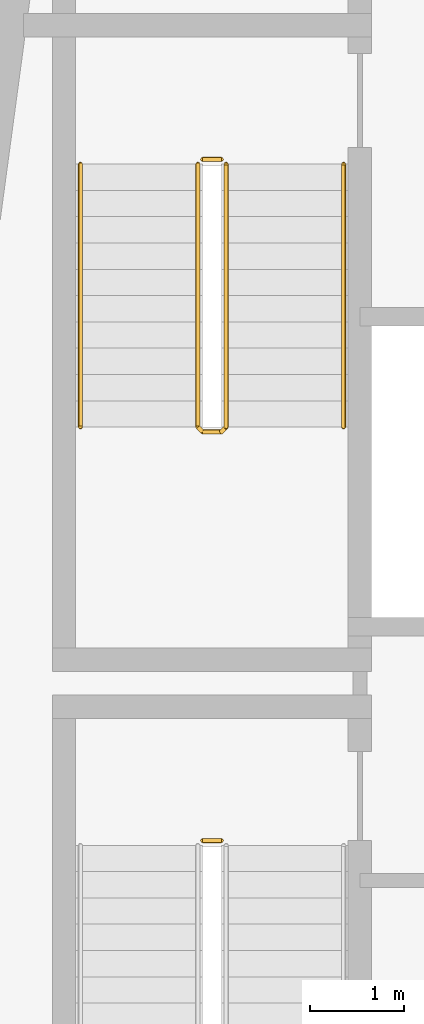
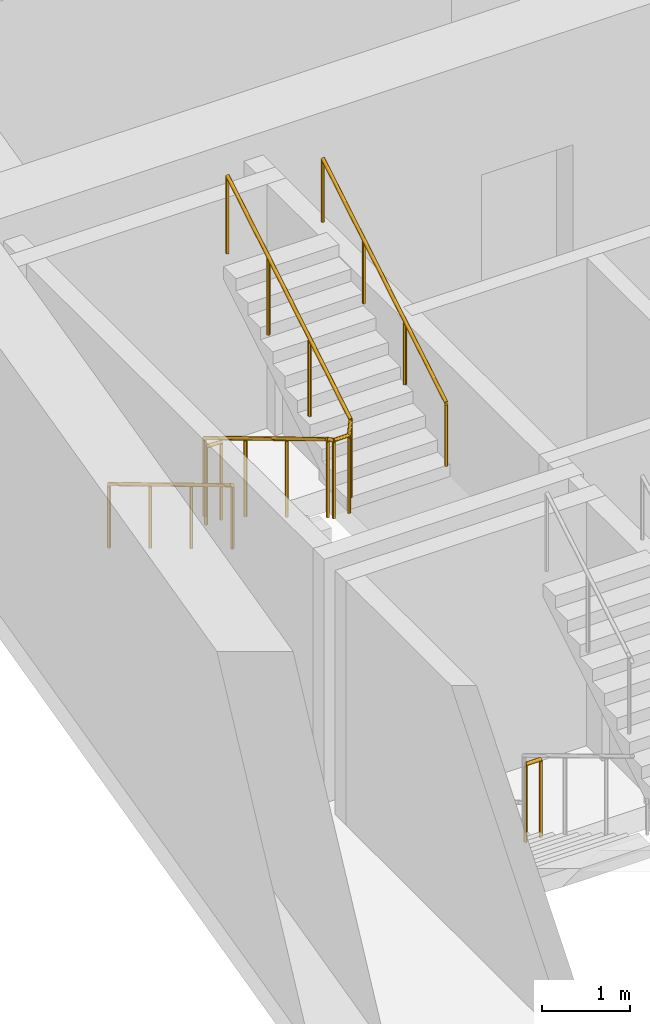
# One storey, part 9 of 12: 5 railings.
"""IFC4 building model written with IfcOpenShell, lengths in metres."""

from ifc_helpers import new_model, si_unit, direction, frame, origin, origin_2d, place, context, subcontext, project, spatial, circle, extrude, material, type_object, element, save


model = new_model("IFC4")

# Units and contexts
model_context = context("Model", 3, precision=1e-05, world=origin(), true_north=direction((0.0, 1.0)))
body_context = subcontext(model_context, "Body", "Model", "MODEL_VIEW")
ifc_project = project(units=[si_unit("LENGTHUNIT", "METRE"), si_unit("AREAUNIT", "SQUARE_METRE"), si_unit("VOLUMEUNIT", "CUBIC_METRE"), si_unit("PLANEANGLEUNIT", "RADIAN"), si_unit("MASSUNIT", "GRAM", prefix="KILO")], contexts=[model_context])

# Site, building, storey
site_placement = place(None, origin())
site = spatial("IfcSite", under=ifc_project, at=site_placement, CompositionType="ELEMENT")
building_placement = place(site_placement, origin())
building = spatial("IfcBuilding", under=site, at=building_placement, Name="Candeia Pilgrim Tower and Theatre", CompositionType="ELEMENT")
storey_placement = place(building_placement, frame((0.0, 0.0, 209.60009765625)))
storey = spatial("IfcBuildingStorey", under=building, at=storey_placement, Name="L50", CompositionType="ELEMENT", Elevation=209.60009765625)

# Railings
ifc_material_1 = material(Name="Stainless steel balustrade", Category="steel")
railing_type_1 = type_object("IfcRailingType", Name="RL-GUARD-1100", PredefinedType="GUARDRAIL", material=ifc_material_1)
railing_1_placement = place(storey_placement, frame((91.152099609375, 122.52490234375, 0.0)))
element("IfcRailing", 1, at=railing_1_placement, inside=storey, type_object=railing_type_1, Name="L50 ST1 stair guard 2", PredefinedType="GUARDRAIL", context=body_context, shape_type="SweptSolid", body=[
    extrude(circle(Radius=0.02392578125, at=origin_2d()), frame((0.0, 0.0, 1.076171875), z_axis=(1.0, 0.0, 0.0), x_axis=(0.0, 1.0, 0.0)), (0.0, 0.0, 1.0), 0.199951171875),
    extrude(circle(Radius=0.02099609375, at=origin_2d()), origin(), (0.0, 0.0, 1.0), 1.052001953125),
    extrude(circle(Radius=0.02099609375, at=origin_2d()), frame((0.199951171875, 0.0, 0.0)), (0.0, 0.0, 1.0), 1.052001953125),
])
railing_2_placement = place(storey_placement, frame((91.10205078125, 129.72509765625, 0.16796875)))
element("IfcRailing", 2, at=railing_2_placement, inside=storey, type_object=railing_type_1, Name="L50 ST2 stair guard 1", PredefinedType="GUARDRAIL", context=body_context, shape_type="SweptSolid", body=[
    extrude(circle(Radius=0.02392578125, at=origin_2d()), frame((0.0, 0.0, 1.076171875), z_axis=(0.0, -0.857242210791, 0.514913383045), x_axis=(1.0, 0.0, 0.0)), (0.0, 0.0, 1.0), 3.266357421875),
    extrude(circle(Radius=0.02392578125, at=origin_2d()), frame((0.0, -2.800048828125, 2.7578125), z_axis=(0.707106781187, -0.707106781187, 0.0), x_axis=(0.707106781187, 0.707106781187, 0.0)), (0.0, 0.0, 1.0), 0.07080078125),
    extrude(circle(Radius=0.02392578125, at=origin_2d()), frame((0.050048828125, -2.85009765625, 2.7578125), z_axis=(1.0, 0.0, 0.0), x_axis=(0.0, 1.0, 0.0)), (0.0, 0.0, 1.0), 0.199951171875),
    extrude(circle(Radius=0.02392578125, at=origin_2d()), frame((0.25, -2.85009765625, 2.7578125), z_axis=(0.274243871929, 0.274243871929, 0.92172696468), x_axis=(-0.707106781187, 0.707106781187, 0.0)), (0.0, 0.0, 1.0), 0.1826171875),
    extrude(circle(Radius=0.02392578125, at=origin_2d()), frame((0.300048828125, -2.800048828125, 2.92626953125), z_axis=(0.0, 0.857242210791, 0.514913383045), x_axis=(-1.0, 0.0, 0.0)), (0.0, 0.0, 1.0), 3.266357421875),
    extrude(circle(Radius=0.02099609375, at=origin_2d()), origin(), (0.0, 0.0, 1.0), 1.052001953125),
    extrude(circle(Radius=0.02099609375, at=origin_2d()), frame((0.0, -0.933349609375, 0.560546875)), (0.0, 0.0, 1.0), 1.052001953125),
    extrude(circle(Radius=0.02099609375, at=origin_2d()), frame((0.0, -1.86669921875, 1.121337890625)), (0.0, 0.0, 1.0), 1.052001953125),
    extrude(circle(Radius=0.02099609375, at=origin_2d()), frame((0.0, -2.800048828125, 1.681884765625)), (0.0, 0.0, 1.0), 1.052001953125),
    extrude(circle(Radius=0.02099609375, at=origin_2d()), frame((0.050048828125, -2.85009765625, 1.681884765625)), (0.0, 0.0, 1.0), 1.052001953125),
    extrude(circle(Radius=0.02099609375, at=origin_2d()), frame((0.25, -2.85009765625, 1.681884765625)), (0.0, 0.0, 1.0), 1.052001953125),
    extrude(circle(Radius=0.02099609375, at=origin_2d()), frame((0.300048828125, -2.800048828125, 1.85009765625)), (0.0, 0.0, 1.0), 1.052001953125),
    extrude(circle(Radius=0.02099609375, at=origin_2d()), frame((0.300048828125, -1.86669921875, 2.41064453125)), (0.0, 0.0, 1.0), 1.052001953125),
    extrude(circle(Radius=0.02099609375, at=origin_2d()), frame((0.300048828125, -0.933349609375, 2.971435546875)), (0.0, 0.0, 1.0), 1.052001953125),
    extrude(circle(Radius=0.02099609375, at=origin_2d()), frame((0.300048828125, 0.0, 3.531982421875)), (0.0, 0.0, 1.0), 1.052001953125),
])
railing_3_placement = place(storey_placement, frame((91.152099609375, 129.77490234375, 0.0)))
element("IfcRailing", 3, at=railing_3_placement, inside=storey, type_object=railing_type_1, Name="L50 ST2 stair guard 2", PredefinedType="GUARDRAIL", context=body_context, shape_type="SweptSolid", body=[
    extrude(circle(Radius=0.02392578125, at=origin_2d()), frame((0.0, 0.0, 1.076171875), z_axis=(1.0, 0.0, 0.0), x_axis=(0.0, 1.0, 0.0)), (0.0, 0.0, 1.0), 0.199951171875),
    extrude(circle(Radius=0.02099609375, at=origin_2d()), origin(), (0.0, 0.0, 1.0), 1.052001953125),
    extrude(circle(Radius=0.02099609375, at=origin_2d()), frame((0.199951171875, 0.0, 0.0)), (0.0, 0.0, 1.0), 1.052001953125),
])
ifc_material_2 = material(Name="Stainless steel handrail", Category="steel")
railing_type_2 = type_object("IfcRailingType", Name="RL-HANDRAIL-900", PredefinedType="HANDRAIL", material=ifc_material_2)
railing_4_placement = place(storey_placement, frame((89.85205078125, 129.72509765625, 0.16796875)))
element("IfcRailing", 4, at=railing_4_placement, inside=storey, type_object=railing_type_2, Name="L50 ST2 stair handrail 1", PredefinedType="HANDRAIL", context=body_context, shape_type="SweptSolid", body=[
    extrude(circle(Radius=0.02392578125, at=origin_2d()), frame((0.0, 0.0, 0.8759765625), z_axis=(0.0, -0.857242210791, 0.514913383045), x_axis=(1.0, 0.0, 0.0)), (0.0, 0.0, 1.0), 3.266357421875),
    extrude(circle(Radius=0.02099609375, at=origin_2d()), origin(), (0.0, 0.0, 1.0), 0.851806640625),
    extrude(circle(Radius=0.02099609375, at=origin_2d()), frame((0.0, -0.933349609375, 0.560546875)), (0.0, 0.0, 1.0), 0.851806640625),
    extrude(circle(Radius=0.02099609375, at=origin_2d()), frame((0.0, -1.86669921875, 1.121337890625)), (0.0, 0.0, 1.0), 0.851806640625),
    extrude(circle(Radius=0.02099609375, at=origin_2d()), frame((0.0, -2.800048828125, 1.681884765625)), (0.0, 0.0, 1.0), 0.851806640625),
])
railing_5_placement = place(storey_placement, frame((92.652099609375, 126.925048828125, 2.01806640625)))
element("IfcRailing", 5, at=railing_5_placement, inside=storey, type_object=railing_type_2, Name="L50 ST2 stair handrail 2", PredefinedType="HANDRAIL", context=body_context, shape_type="SweptSolid", body=[
    extrude(circle(Radius=0.02392578125, at=origin_2d()), frame((0.0, 0.0, 0.8759765625), z_axis=(0.0, 0.857242210791, 0.514913383045), x_axis=(-1.0, 0.0, 0.0)), (0.0, 0.0, 1.0), 3.266357421875),
    extrude(circle(Radius=0.02099609375, at=origin_2d()), origin(), (0.0, 0.0, 1.0), 0.851806640625),
    extrude(circle(Radius=0.02099609375, at=origin_2d()), frame((0.0, 0.933349609375, 0.560546875)), (0.0, 0.0, 1.0), 0.851806640625),
    extrude(circle(Radius=0.02099609375, at=origin_2d()), frame((0.0, 1.86669921875, 1.121337890625)), (0.0, 0.0, 1.0), 0.851806640625),
    extrude(circle(Radius=0.02099609375, at=origin_2d()), frame((0.0, 2.800048828125, 1.681884765625)), (0.0, 0.0, 1.0), 0.851806640625),
])

save(model, "model.ifc")
